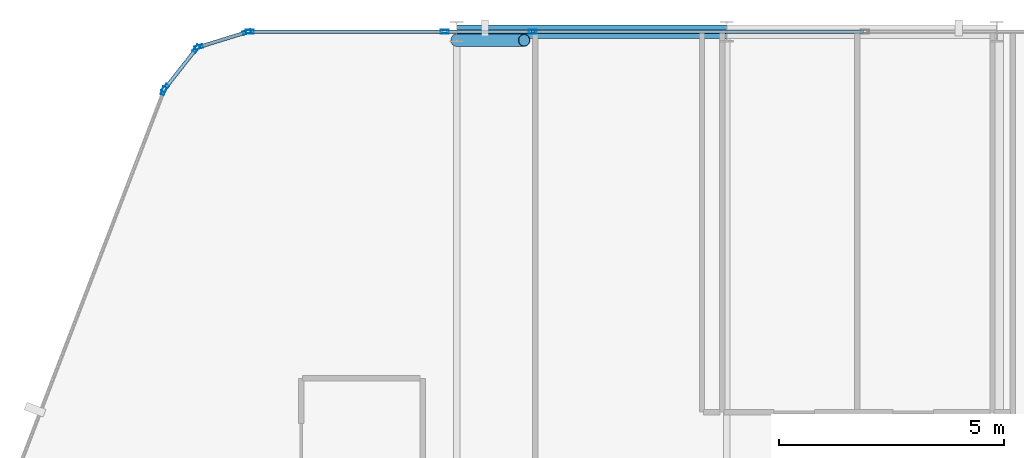
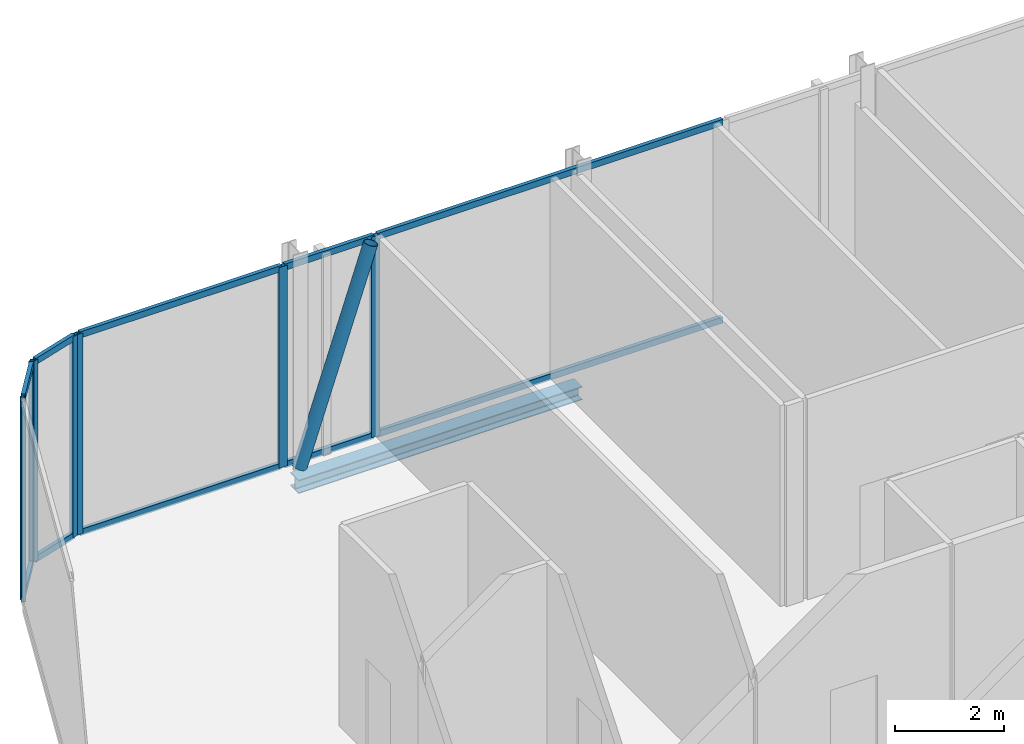
# One storey, part 18 of 29: 19 members, 1 beam, 6 elements without a shape of their own.
"""IFC4 building model written with IfcOpenShell, lengths in metres."""

from ifc_helpers import new_model, si_unit, direction, frame, origin, origin_2d, place, context, subcontext, project, spatial, hollow_rectangle, hollow_circle, i_section, extrude, material, layer, layer_set, material_profile, profile_set, type_object, element, aggregate, save


model = new_model("IFC4")

# Units and contexts
model_context = context("Model", 3, precision=1e-05, world=origin(), true_north=direction((0.0, 1.0)))
body_context = subcontext(model_context, "Body", "Model", "MODEL_VIEW")
ifc_project = project(units=[si_unit("LENGTHUNIT", "METRE"), si_unit("AREAUNIT", "SQUARE_METRE"), si_unit("VOLUMEUNIT", "CUBIC_METRE"), si_unit("PLANEANGLEUNIT", "RADIAN"), si_unit("MASSUNIT", "GRAM", prefix="KILO")], contexts=[model_context])

# Site, building, storey
site_placement = place(None, origin())
site = spatial("IfcSite", under=ifc_project, at=site_placement, CompositionType="ELEMENT")
building_placement = place(site_placement, origin())
building = spatial("IfcBuilding", under=site, at=building_placement, Name="Keshet Zoharim Tower", CompositionType="ELEMENT")
storey_placement = place(building_placement, frame((0.0, 0.0, 218.0)))
storey = spatial("IfcBuildingStorey", under=building, at=storey_placement, Name="L54", CompositionType="ELEMENT", Elevation=218.0)

# Beam
ifc_material_1 = material(Name="Steel S355", Category="steel")
ifc_material_profile_1 = material_profile(ifc_material_1, i_section(OverallWidth=0.300048828125, OverallDepth=0.300048828125, WebThickness=0.010986328125, FlangeThickness=0.01904296875, FilletRadius=0.027099609375, at=origin_2d()), Name="HEB300")
ifc_profile_set_1 = profile_set([ifc_material_profile_1], Name="Steel S355")
beam_type = type_object("IfcBeamType", Name="BM-PRI-HB300", PredefinedType="BEAM", material=ifc_profile_set_1)
beam_placement = place(storey_placement, frame((21.0, 53.89990234375, -0.469970703125), z_axis=(1.0, 0.0, 0.0), x_axis=(0.0, 1.0, 0.0)))
element("IfcBeam", 1, at=beam_placement, inside=storey, type_object=beam_type, Name="L54 Primary Girder X-019", PredefinedType="BEAM", context=body_context, shape_type="SweptSolid", body=[
    extrude(i_section(OverallWidth=0.300048828125, OverallDepth=0.300048828125, WebThickness=0.010986328125, FlangeThickness=0.01904296875, FilletRadius=0.027099609375, at=origin_2d()), origin(), (0.0, 0.0, 1.0), 6.0),
])

# Curtain wall, member
ifc_material_2 = material(Name="Aluminium 6063-T6", Category="aluminium")
ifc_layer = layer(ifc_material_2, 0.14990234375)
ifc_layer_set = layer_set([ifc_layer], Name="Aluminium 6063-T6")
curtain_wall_type = type_object("IfcCurtainWallType", Name="CW-SYS-04", PredefinedType="NOTDEFINED", material=ifc_layer_set)
curtain_wall_1_placement = place(storey_placement, origin())
curtain_wall_1 = element("IfcCurtainWall", 2, at=curtain_wall_1_placement, inside=storey, type_object=curtain_wall_type, Name="L54 Unitised Curtain Wall 13", PredefinedType="NOTDEFINED")
ifc_material_profile_2 = material_profile(ifc_material_2, hollow_rectangle(XDim=0.080078125, YDim=0.179931640625, WallThickness=0.00439453125, at=origin_2d()), Name="MUL-80x180")
ifc_profile_set_2 = profile_set([ifc_material_profile_2], Name="Aluminium 6063-T6")
member_type_1 = type_object("IfcMemberType", Name="CWM-M18", PredefinedType="MULLION", material=ifc_profile_set_2)
member_1_placement = place(storey_placement, frame((14.494384765625, 52.58544921875, 0.0), z_axis=(0.0, 0.0, 1.0), x_axis=(-0.933341404361, 0.358990003907, 0.0)))
member_1 = element("IfcMember", 3, at=member_1_placement, type_object=member_type_1, Name="CW-04 mullion 4", PredefinedType="MULLION", context=body_context, shape_type="SweptSolid", body=[
    extrude(hollow_rectangle(XDim=0.080078125, YDim=0.179931640625, WallThickness=0.00439453125, at=origin_2d()), origin(), (0.0, 0.0, 1.0), 4.489990234375),
])
aggregate(curtain_wall_1, [member_1])

# Curtain wall, members
curtain_wall_2_placement = place(storey_placement, origin())
curtain_wall_2 = element("IfcCurtainWall", 4, at=curtain_wall_2_placement, inside=storey, type_object=curtain_wall_type, Name="L54 Unitised Curtain Wall 14", PredefinedType="NOTDEFINED")
member_2_placement = place(storey_placement, frame((14.528564453125, 52.6455078125, 0.0), z_axis=(0.0, 0.0, 1.0), x_axis=(-0.785292825205, 0.619124525989, 0.0)))
member_2 = element("IfcMember", 5, at=member_2_placement, type_object=member_type_1, Name="CW-04 mullion 1", PredefinedType="MULLION", context=body_context, shape_type="SweptSolid", body=[
    extrude(hollow_rectangle(XDim=0.080078125, YDim=0.179931640625, WallThickness=0.00439453125, at=origin_2d()), origin(), (0.0, 0.0, 1.0), 4.489990234375),
])
member_3_placement = place(storey_placement, frame((15.21923828125, 53.521484375, 0.0), z_axis=(0.0, 0.0, 1.0), x_axis=(-0.785292825205, 0.619124525989, 0.0)))
member_3 = element("IfcMember", 6, at=member_3_placement, type_object=member_type_1, Name="CW-04 mullion 2", PredefinedType="MULLION", context=body_context, shape_type="SweptSolid", body=[
    extrude(hollow_rectangle(XDim=0.080078125, YDim=0.179931640625, WallThickness=0.00439453125, at=origin_2d()), origin(), (0.0, 0.0, 1.0), 4.489990234375),
])

curtain_wall_3_placement = place(storey_placement, origin())
curtain_wall_3 = element("IfcCurtainWall", 7, at=curtain_wall_3_placement, inside=storey, type_object=curtain_wall_type, Name="L54 Unitised Curtain Wall 15", PredefinedType="NOTDEFINED")
member_4_placement = place(storey_placement, frame((15.2744140625, 53.559326171875, 0.0), z_axis=(0.0, 0.0, 1.0), x_axis=(-0.295921857984, 0.955212151288, 0.0)))
member_4 = element("IfcMember", 8, at=member_4_placement, type_object=member_type_1, Name="CW-04 mullion 1", PredefinedType="MULLION", context=body_context, shape_type="SweptSolid", body=[
    extrude(hollow_rectangle(XDim=0.080078125, YDim=0.179931640625, WallThickness=0.00439453125, at=origin_2d()), origin(), (0.0, 0.0, 1.0), 4.489990234375),
])
member_5_placement = place(storey_placement, frame((16.340576171875, 53.8896484375, 0.0), z_axis=(0.0, 0.0, 1.0), x_axis=(-0.295921857984, 0.955212151288, 0.0)))
member_5 = element("IfcMember", 9, at=member_5_placement, type_object=member_type_1, Name="CW-04 mullion 2", PredefinedType="MULLION", context=body_context, shape_type="SweptSolid", body=[
    extrude(hollow_rectangle(XDim=0.080078125, YDim=0.179931640625, WallThickness=0.00439453125, at=origin_2d()), origin(), (0.0, 0.0, 1.0), 4.489990234375),
])

curtain_wall_4_placement = place(storey_placement, origin())
curtain_wall_4 = element("IfcCurtainWall", 10, at=curtain_wall_4_placement, inside=storey, type_object=curtain_wall_type, Name="L54 Unitised Curtain Wall 16", PredefinedType="NOTDEFINED")
member_6_placement = place(storey_placement, frame((16.408935546875, 53.89990234375, 0.0), z_axis=(0.0, 0.0, 1.0), x_axis=(0.0, 1.0, 0.0)))
member_6 = element("IfcMember", 11, at=member_6_placement, type_object=member_type_1, Name="CW-04 mullion 1", PredefinedType="MULLION", context=body_context, shape_type="SweptSolid", body=[
    extrude(hollow_rectangle(XDim=0.080078125, YDim=0.179931640625, WallThickness=0.00439453125, at=origin_2d()), origin(), (0.0, 0.0, 1.0), 4.489990234375),
])
member_7_placement = place(storey_placement, frame((20.735595703125, 53.89990234375, 0.0), z_axis=(0.0, 0.0, 1.0), x_axis=(0.0, 1.0, 0.0)))
member_7 = element("IfcMember", 12, at=member_7_placement, type_object=member_type_1, Name="CW-04 mullion 2", PredefinedType="MULLION", context=body_context, shape_type="SweptSolid", body=[
    extrude(hollow_rectangle(XDim=0.080078125, YDim=0.179931640625, WallThickness=0.00439453125, at=origin_2d()), origin(), (0.0, 0.0, 1.0), 4.489990234375),
])

# Curtain wall, member
curtain_wall_5_placement = place(storey_placement, origin())
curtain_wall_5 = element("IfcCurtainWall", 13, at=curtain_wall_5_placement, inside=storey, type_object=curtain_wall_type, Name="L54 Unitised Curtain Wall 16 Part 2", PredefinedType="NOTDEFINED")
member_8_placement = place(storey_placement, frame((22.694580078125, 53.89990234375, 0.0), z_axis=(0.0, 0.0, 1.0), x_axis=(0.0, 1.0, 0.0)))
member_8 = element("IfcMember", 14, at=member_8_placement, type_object=member_type_1, Name="CW-04 mullion 2", PredefinedType="MULLION", context=body_context, shape_type="SweptSolid", body=[
    extrude(hollow_rectangle(XDim=0.080078125, YDim=0.179931640625, WallThickness=0.00439453125, at=origin_2d()), origin(), (0.0, 0.0, 1.0), 4.489990234375),
])

# Member
ifc_material_profile_3 = material_profile(ifc_material_2, hollow_rectangle(XDim=0.080078125, YDim=0.139892578125, WallThickness=0.00390625, at=origin_2d()), Name="TRN-80x140")
ifc_profile_set_3 = profile_set([ifc_material_profile_3], Name="Aluminium 6063-T6")
member_type_2 = type_object("IfcMemberType", Name="CWT-T14", PredefinedType="USERDEFINED", material=ifc_profile_set_3)
member_9_placement = place(storey_placement, frame((14.55029296875, 52.6728515625, 0.034912109375), z_axis=(0.619099165969, 0.78531281837, 0.0), x_axis=(-0.78531281837, 0.619099165969, 0.0)))
member_9 = element("IfcMember", 15, at=member_9_placement, type_object=member_type_2, Name="CW-04 transom 1.1", ObjectType="TRANSOM", PredefinedType="USERDEFINED", context=body_context, shape_type="SweptSolid", body=[
    extrude(hollow_rectangle(XDim=0.080078125, YDim=0.139892578125, WallThickness=0.00390625, at=origin_2d()), origin(), (0.0, 0.0, 1.0), 1.0458984375),
])

member_10_placement = place(storey_placement, frame((14.55029296875, 52.6728515625, 4.455078125), z_axis=(0.619099165969, 0.78531281837, 0.0), x_axis=(-0.78531281837, 0.619099165969, 0.0)))
member_10 = element("IfcMember", 16, at=member_10_placement, type_object=member_type_2, Name="CW-04 transom 1.2", ObjectType="TRANSOM", PredefinedType="USERDEFINED", context=body_context, shape_type="SweptSolid", body=[
    extrude(hollow_rectangle(XDim=0.080078125, YDim=0.139892578125, WallThickness=0.00390625, at=origin_2d()), origin(), (0.0, 0.0, 1.0), 1.0458984375),
])

aggregate(curtain_wall_2, [member_2, member_3, member_9, member_10])

member_11_placement = place(storey_placement, frame((15.307861328125, 53.56982421875, 0.034912109375), z_axis=(0.955212093062, 0.295922045933, 0.0), x_axis=(-0.295922045933, 0.955212093062, 0.0)))
member_11 = element("IfcMember", 17, at=member_11_placement, type_object=member_type_2, Name="CW-04 transom 1.1", ObjectType="TRANSOM", PredefinedType="USERDEFINED", context=body_context, shape_type="SweptSolid", body=[
    extrude(hollow_rectangle(XDim=0.080078125, YDim=0.139892578125, WallThickness=0.00390625, at=origin_2d()), origin(), (0.0, 0.0, 1.0), 1.046142578125),
])

member_12_placement = place(storey_placement, frame((15.307861328125, 53.56982421875, 4.455078125), z_axis=(0.955212093062, 0.295922045933, 0.0), x_axis=(-0.295922045933, 0.955212093062, 0.0)))
member_12 = element("IfcMember", 18, at=member_12_placement, type_object=member_type_2, Name="CW-04 transom 1.2", ObjectType="TRANSOM", PredefinedType="USERDEFINED", context=body_context, shape_type="SweptSolid", body=[
    extrude(hollow_rectangle(XDim=0.080078125, YDim=0.139892578125, WallThickness=0.00390625, at=origin_2d()), origin(), (0.0, 0.0, 1.0), 1.046142578125),
])

aggregate(curtain_wall_3, [member_4, member_5, member_11, member_12])

member_13_placement = place(storey_placement, frame((16.444091796875, 53.89990234375, 0.034912109375), z_axis=(1.0, 0.0, 0.0), x_axis=(0.0, 1.0, 0.0)))
member_13 = element("IfcMember", 19, at=member_13_placement, type_object=member_type_2, Name="CW-04 transom 1.1", ObjectType="TRANSOM", PredefinedType="USERDEFINED", context=body_context, shape_type="SweptSolid", body=[
    extrude(hollow_rectangle(XDim=0.080078125, YDim=0.139892578125, WallThickness=0.00390625, at=origin_2d()), origin(), (0.0, 0.0, 1.0), 4.25634765625),
])

member_14_placement = place(storey_placement, frame((16.444091796875, 53.89990234375, 4.455078125), z_axis=(1.0, 0.0, 0.0), x_axis=(0.0, 1.0, 0.0)))
member_14 = element("IfcMember", 20, at=member_14_placement, type_object=member_type_2, Name="CW-04 transom 1.2", ObjectType="TRANSOM", PredefinedType="USERDEFINED", context=body_context, shape_type="SweptSolid", body=[
    extrude(hollow_rectangle(XDim=0.080078125, YDim=0.139892578125, WallThickness=0.00390625, at=origin_2d()), origin(), (0.0, 0.0, 1.0), 4.25634765625),
])

aggregate(curtain_wall_4, [member_6, member_7, member_13, member_14])

member_15_placement = place(storey_placement, frame((20.7705078125, 53.89990234375, 0.034912109375), z_axis=(1.0, 0.0, 0.0), x_axis=(0.0, 1.0, 0.0)))
member_15 = element("IfcMember", 21, at=member_15_placement, type_object=member_type_2, Name="CW-04 transom 1.1", ObjectType="TRANSOM", PredefinedType="USERDEFINED", context=body_context, shape_type="SweptSolid", body=[
    extrude(hollow_rectangle(XDim=0.080078125, YDim=0.139892578125, WallThickness=0.00390625, at=origin_2d()), origin(), (0.0, 0.0, 1.0), 1.888916015625),
])

member_16_placement = place(storey_placement, frame((20.7705078125, 53.89990234375, 4.455078125), z_axis=(1.0, 0.0, 0.0), x_axis=(0.0, 1.0, 0.0)))
member_16 = element("IfcMember", 22, at=member_16_placement, type_object=member_type_2, Name="CW-04 transom 1.2", ObjectType="TRANSOM", PredefinedType="USERDEFINED", context=body_context, shape_type="SweptSolid", body=[
    extrude(hollow_rectangle(XDim=0.080078125, YDim=0.139892578125, WallThickness=0.00390625, at=origin_2d()), origin(), (0.0, 0.0, 1.0), 1.888916015625),
])

aggregate(curtain_wall_5, [member_8, member_15, member_16])

# Curtain wall, members
curtain_wall_6_placement = place(storey_placement, origin())
curtain_wall_6 = element("IfcCurtainWall", 23, at=curtain_wall_6_placement, inside=storey, type_object=curtain_wall_type, Name="L54 Unitised Curtain Wall 16 Part 3", PredefinedType="NOTDEFINED")
member_17_placement = place(storey_placement, frame((22.7294921875, 53.89990234375, 0.034912109375), z_axis=(1.0, 0.0, 0.0), x_axis=(0.0, 1.0, 0.0)))
member_17 = element("IfcMember", 24, at=member_17_placement, type_object=member_type_2, Name="CW-04 transom 1.1", ObjectType="TRANSOM", PredefinedType="USERDEFINED", context=body_context, shape_type="SweptSolid", body=[
    extrude(hollow_rectangle(XDim=0.080078125, YDim=0.139892578125, WallThickness=0.00390625, at=origin_2d()), origin(), (0.0, 0.0, 1.0), 7.3046875),
])
member_18_placement = place(storey_placement, frame((22.7294921875, 53.89990234375, 4.455078125), z_axis=(1.0, 0.0, 0.0), x_axis=(0.0, 1.0, 0.0)))
member_18 = element("IfcMember", 25, at=member_18_placement, type_object=member_type_2, Name="CW-04 transom 1.2", ObjectType="TRANSOM", PredefinedType="USERDEFINED", context=body_context, shape_type="SweptSolid", body=[
    extrude(hollow_rectangle(XDim=0.080078125, YDim=0.139892578125, WallThickness=0.00390625, at=origin_2d()), origin(), (0.0, 0.0, 1.0), 7.3046875),
])
aggregate(curtain_wall_6, [member_17, member_18])

# Member
ifc_material_profile_4 = material_profile(ifc_material_1, hollow_circle(Radius=0.136474609375, WallThickness=0.010009765625, at=origin_2d()), Name="CHS273x10")
ifc_profile_set_4 = profile_set([ifc_material_profile_4], Name="Steel S355")
member_type_3 = type_object("IfcMemberType", Name="MB-BR-C273", PredefinedType="BRACE", material=ifc_profile_set_4)
member_19_placement = place(storey_placement, frame((21.0, 53.7099609375, 0.0), z_axis=(0.316862038272, 0.0, 0.948471638323), x_axis=(0.0, 1.0, 0.0)))
element("IfcMember", 26, at=member_19_placement, inside=storey, type_object=member_type_3, Name="L54 Perimeter Tube Brace 02", PredefinedType="BRACE", context=body_context, shape_type="SweptSolid", body=[
    extrude(hollow_circle(Radius=0.136474609375, WallThickness=0.010009765625, at=origin_2d()), origin(), (0.0, 0.0, 1.0), 4.73388671875),
])

save(model, "model.ifc")
